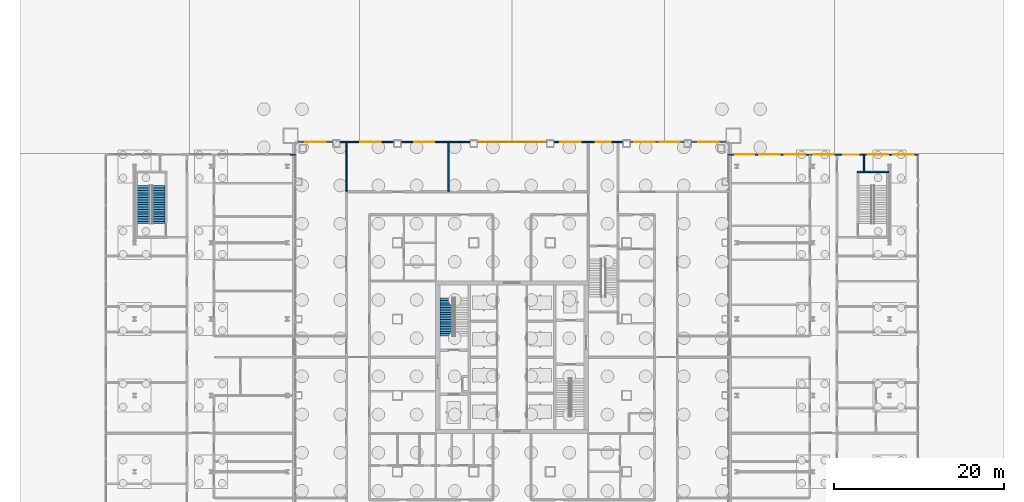
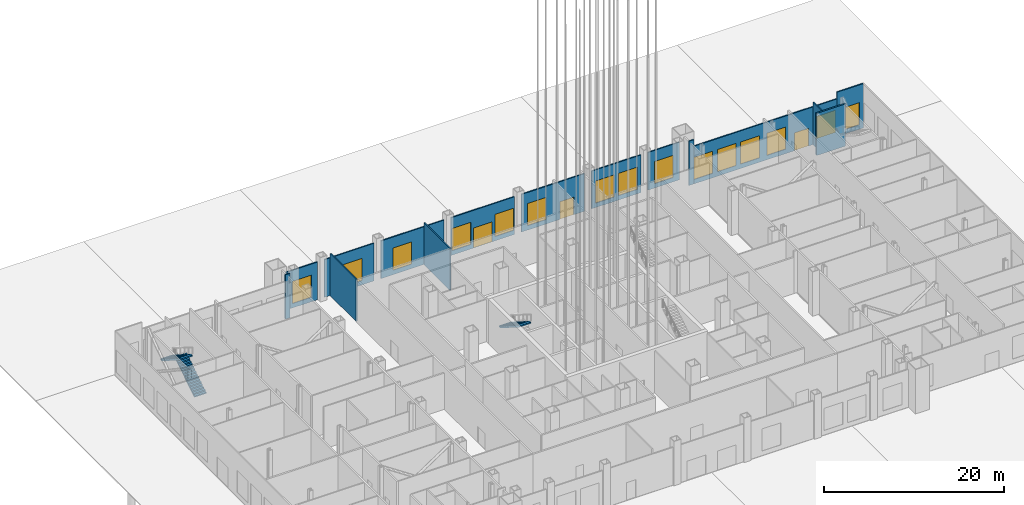
# One storey, part 13 of 36: 15 walls, 15 windows, 3 doors, 3 stair flights, 18 openings, 2 elements without a shape of their own.
"""IFC4 building model written with IfcOpenShell, lengths in metres."""

from ifc_helpers import new_model, si_unit, direction, frame, frame_2d, origin, place, context, subcontext, project, spatial, polyline, rectangle, outline, extrude, material, layer, layer_set, type_object, element, fill, aggregate, save


model = new_model("IFC4")

# Units and contexts
model_context = context("Model", 3, precision=1e-05, world=origin(), true_north=direction((0.0, 1.0)))
body_context = subcontext(model_context, "Body", "Model", "MODEL_VIEW")
ifc_project = project(units=[si_unit("LENGTHUNIT", "METRE"), si_unit("AREAUNIT", "SQUARE_METRE"), si_unit("VOLUMEUNIT", "CUBIC_METRE"), si_unit("PLANEANGLEUNIT", "RADIAN"), si_unit("MASSUNIT", "GRAM", prefix="KILO")], contexts=[model_context])

# Site, building, storey
site_placement = place(None, origin())
site = spatial("IfcSite", under=ifc_project, at=site_placement, CompositionType="ELEMENT")
building_placement = place(site_placement, origin())
building = spatial("IfcBuilding", under=site, at=building_placement, Name="Malebo Sky Hospital", CompositionType="ELEMENT")
storey_placement = place(building_placement, origin())
storey = spatial("IfcBuildingStorey", under=building, at=storey_placement, Name="L00", CompositionType="ELEMENT", Elevation=0.0)

# Wall
ifc_material_1 = material(Name="Anodised aluminium, natural silver framed screen", Category="aluminium")
ifc_layer_1 = layer(ifc_material_1, 0.14990234375)
ifc_layer_set_1 = layer_set([ifc_layer_1], Name="GLAZED ENTRANCE SCREEN 150")
wall_type_1 = type_object("IfcWallType", Name="GLAZED ENTRANCE SCREEN 150", PredefinedType="STANDARD", material=ifc_layer_set_1)
wall_1_placement = place(storey_placement, frame((34.449951171875, 85.875, 0.0), z_axis=(0.0, 0.0, 1.0), x_axis=(-1.0, 0.0, 0.0)))
element("IfcWall", 1, at=wall_1_placement, inside=storey, type_object=wall_type_1, Name="Glazed entrance screen WN", PredefinedType="STANDARD", context=body_context, shape_type="SweptSolid", body=[
    extrude(rectangle(XDim=0.60888671875, YDim=0.14990234375, at=frame_2d((0.304443359375, 0.0))), origin(), (0.0, 0.0, 1.0), 6.0),
])

# Wall, opening, window
wall_2_placement = place(storey_placement, frame((85.199951171875, 87.375, 0.0), z_axis=(0.0, 0.0, 1.0), x_axis=(-1.0, 0.0, 0.0)))
wall_2 = element("IfcWall", 2, at=wall_2_placement, inside=storey, type_object=wall_type_1, Name="Glazed entrance screen BN", PredefinedType="STANDARD", context=body_context, shape_type="SweptSolid", body=[
    extrude(rectangle(XDim=4.050048828125, YDim=0.14990234375, at=frame_2d((2.02490234375, 0.0))), origin(), (0.0, 0.0, 1.0), 5.10009765625),
])
opening_1_placement = place(wall_2_placement, frame((0.824951171875, 0.0, 0.60009765625)))
opening_1 = element("IfcOpeningElement", 3, at=opening_1_placement, cuts=wall_2, Name="Opening W01", PredefinedType="OPENING", context=body_context, shape_type="SweptSolid", body=[
    extrude(rectangle(XDim=2.39990234375, YDim=3.0, at=frame_2d((1.199951171875, 1.5))), frame((0.0, 0.0849609375, 0.0), z_axis=(0.0, -1.0, 0.0), x_axis=(1.0, 0.0, 0.0)), (0.0, 0.0, 1.0), 0.169921875),
])
ifc_material_2 = material(Name="Clear low-iron double glazing", Category="glass")
window_type = type_object("IfcWindowType", Name="SCREEN GLAZING 2400x3000", PartitioningType="SINGLE_PANEL", PredefinedType="WINDOW", material=ifc_material_2)
window_1_placement = place(opening_1_placement, origin())
window_1 = element("IfcWindow", 4, at=window_1_placement, inside=storey, type_object=window_type, Name="Screen glazing 1", OverallHeight=3.0, OverallWidth=2.39990234375, PartitioningType="SINGLE_PANEL", PredefinedType="WINDOW", context=body_context, shape_type="SweptSolid", body=[
    extrude(rectangle(XDim=2.39990234375, YDim=3.0, at=frame_2d((1.199951171875, 1.5))), frame((0.0, 0.030029296875, 0.0), z_axis=(0.0, -1.0, 0.0), x_axis=(1.0, 0.0, 0.0)), (0.0, 0.0, 1.0), 0.06005859375),
])
fill(opening_1, window_1)

# Wall, openings, windows
wall_3_placement = place(storey_placement, frame((80.25, 87.375, 0.0), z_axis=(0.0, 0.0, 1.0), x_axis=(-1.0, 0.0, 0.0)))
wall_3 = element("IfcWall", 5, at=wall_3_placement, inside=storey, type_object=wall_type_1, Name="Glazed entrance screen BN", PredefinedType="STANDARD", context=body_context, shape_type="SweptSolid", body=[
    extrude(rectangle(XDim=6.300048828125, YDim=0.14990234375, at=frame_2d((3.14990234375, 0.0))), origin(), (0.0, 0.0, 1.0), 5.10009765625),
])
opening_2_placement = place(wall_3_placement, frame((0.449951171875, 0.0, 0.60009765625)))
opening_2 = element("IfcOpeningElement", 6, at=opening_2_placement, cuts=wall_3, Name="Opening W01", PredefinedType="OPENING", context=body_context, shape_type="SweptSolid", body=[
    extrude(rectangle(XDim=2.39990234375, YDim=3.0, at=frame_2d((1.199951171875, 1.5))), frame((0.0, 0.0849609375, 0.0), z_axis=(0.0, -1.0, 0.0), x_axis=(1.0, 0.0, 0.0)), (0.0, 0.0, 1.0), 0.169921875),
])
opening_3_placement = place(wall_3_placement, frame((3.449951171875, 0.0, 0.60009765625)))
opening_3 = element("IfcOpeningElement", 7, at=opening_3_placement, cuts=wall_3, Name="Opening W01", PredefinedType="OPENING", context=body_context, shape_type="SweptSolid", body=[
    extrude(rectangle(XDim=2.39990234375, YDim=3.0, at=frame_2d((1.199951171875, 1.5))), frame((0.0, 0.0849609375, 0.0), z_axis=(0.0, -1.0, 0.0), x_axis=(1.0, 0.0, 0.0)), (0.0, 0.0, 1.0), 0.169921875),
])
window_2_placement = place(opening_2_placement, origin())
window_2 = element("IfcWindow", 8, at=window_2_placement, inside=storey, type_object=window_type, Name="Screen glazing 2", OverallHeight=3.0, OverallWidth=2.39990234375, PartitioningType="SINGLE_PANEL", PredefinedType="WINDOW", context=body_context, shape_type="SweptSolid", body=[
    extrude(rectangle(XDim=2.39990234375, YDim=3.0, at=frame_2d((1.199951171875, 1.5))), frame((0.0, 0.030029296875, 0.0), z_axis=(0.0, -1.0, 0.0), x_axis=(1.0, 0.0, 0.0)), (0.0, 0.0, 1.0), 0.06005859375),
])
fill(opening_2, window_2)
window_3_placement = place(opening_3_placement, origin())
window_3 = element("IfcWindow", 9, at=window_3_placement, inside=storey, type_object=window_type, Name="Screen glazing 3", OverallHeight=3.0, OverallWidth=2.39990234375, PartitioningType="SINGLE_PANEL", PredefinedType="WINDOW", context=body_context, shape_type="SweptSolid", body=[
    extrude(rectangle(XDim=2.39990234375, YDim=3.0, at=frame_2d((1.199951171875, 1.5))), frame((0.0, 0.030029296875, 0.0), z_axis=(0.0, -1.0, 0.0), x_axis=(1.0, 0.0, 0.0)), (0.0, 0.0, 1.0), 0.06005859375),
])
fill(opening_3, window_3)

# Wall, openings, door, window
wall_4_placement = place(storey_placement, frame((73.050048828125, 87.375, 0.0), z_axis=(0.0, 0.0, 1.0), x_axis=(-1.0, 0.0, 0.0)))
wall_4 = element("IfcWall", 10, at=wall_4_placement, inside=storey, type_object=wall_type_1, Name="Glazed entrance screen BN", PredefinedType="STANDARD", context=body_context, shape_type="SweptSolid", body=[
    extrude(rectangle(XDim=8.10009765625, YDim=0.14990234375, at=frame_2d((4.050048828125, 0.0))), origin(), (0.0, 0.0, 1.0), 5.10009765625),
])
opening_4_placement = place(wall_4_placement, frame((1.39990234375, 0.0, 0.0)))
opening_4 = element("IfcOpeningElement", 11, at=opening_4_placement, cuts=wall_4, Name="Opening D12", PredefinedType="OPENING", context=body_context, shape_type="SweptSolid", body=[
    extrude(rectangle(XDim=1.800048828125, YDim=2.39990234375, at=frame_2d((0.89990234375, 1.199951171875))), frame((0.0, 0.0849609375, 0.0), z_axis=(0.0, -1.0, 0.0), x_axis=(1.0, 0.0, 0.0)), (0.0, 0.0, 1.0), 0.169921875),
])
opening_5_placement = place(wall_4_placement, frame((4.949951171875, 0.0, 0.60009765625)))
opening_5 = element("IfcOpeningElement", 12, at=opening_5_placement, cuts=wall_4, Name="Opening W01", PredefinedType="OPENING", context=body_context, shape_type="SweptSolid", body=[
    extrude(rectangle(XDim=2.39990234375, YDim=3.0, at=frame_2d((1.199951171875, 1.5))), frame((0.0, 0.0849609375, 0.0), z_axis=(0.0, -1.0, 0.0), x_axis=(1.0, 0.0, 0.0)), (0.0, 0.0, 1.0), 0.169921875),
])
ifc_material_3 = material(Name="Anodised aluminium, natural silver framed glazed door", Category="aluminium")
door_type_1 = type_object("IfcDoorType", Name="EXIT DOOR PAIR 1800", OperationType="DOUBLE_DOOR_SINGLE_SWING", PredefinedType="DOOR", material=ifc_material_3)
door_1_placement = place(opening_4_placement, frame((1.800048828125, 0.0, 0.0), z_axis=(0.0, 0.0, 1.0), x_axis=(-1.0, 0.0, 0.0)))
door_1 = element("IfcDoor", 13, at=door_1_placement, inside=storey, type_object=door_type_1, Name="Stair S3 exit doors", OperationType="DOUBLE_DOOR_SINGLE_SWING", OverallHeight=2.39990234375, OverallWidth=1.800048828125, PredefinedType="DOOR", context=body_context, shape_type="SweptSolid", body=[
    extrude(rectangle(XDim=1.800048828125, YDim=2.39990234375, at=frame_2d((0.89990234375, 1.199951171875))), frame((0.0, 0.02490234375, 0.0), z_axis=(0.0, -1.0, 0.0), x_axis=(1.0, 0.0, 0.0)), (0.0, 0.0, 1.0), 0.050048828125),
])
fill(opening_4, door_1)
window_4_placement = place(opening_5_placement, origin())
window_4 = element("IfcWindow", 14, at=window_4_placement, inside=storey, type_object=window_type, Name="Screen glazing 4", OverallHeight=3.0, OverallWidth=2.39990234375, PartitioningType="SINGLE_PANEL", PredefinedType="WINDOW", context=body_context, shape_type="SweptSolid", body=[
    extrude(rectangle(XDim=2.39990234375, YDim=3.0, at=frame_2d((1.199951171875, 1.5))), frame((0.0, 0.030029296875, 0.0), z_axis=(0.0, -1.0, 0.0), x_axis=(1.0, 0.0, 0.0)), (0.0, 0.0, 1.0), 0.06005859375),
])
fill(opening_5, window_4)

# Wall, openings, windows, door
wall_5_placement = place(storey_placement, frame((64.050048828125, 87.375, 0.0), z_axis=(0.0, 0.0, 1.0), x_axis=(-1.0, 0.0, 0.0)))
wall_5 = element("IfcWall", 15, at=wall_5_placement, inside=storey, type_object=wall_type_1, Name="Glazed entrance screen BN", PredefinedType="STANDARD", context=body_context, shape_type="SweptSolid", body=[
    extrude(rectangle(XDim=8.10009765625, YDim=0.14990234375, at=frame_2d((4.050048828125, 0.0))), origin(), (0.0, 0.0, 1.0), 5.10009765625),
])
opening_6_placement = place(wall_5_placement, frame((2.85009765625, 0.0, 0.0)))
opening_6 = element("IfcOpeningElement", 16, at=opening_6_placement, cuts=wall_5, Name="Opening D13", PredefinedType="OPENING", context=body_context, shape_type="SweptSolid", body=[
    extrude(rectangle(XDim=2.39990234375, YDim=2.699951171875, at=frame_2d((1.199951171875, 1.35009765625))), frame((0.0, 0.0849609375, 0.0), z_axis=(0.0, -1.0, 0.0), x_axis=(1.0, 0.0, 0.0)), (0.0, 0.0, 1.0), 0.169921875),
])
opening_7_placement = place(wall_5_placement, frame((0.125, 0.0, 0.60009765625)))
opening_7 = element("IfcOpeningElement", 17, at=opening_7_placement, cuts=wall_5, Name="Opening W01", PredefinedType="OPENING", context=body_context, shape_type="SweptSolid", body=[
    extrude(rectangle(XDim=2.39990234375, YDim=3.0, at=frame_2d((1.199951171875, 1.5))), frame((0.0, 0.0849609375, 0.0), z_axis=(0.0, -1.0, 0.0), x_axis=(1.0, 0.0, 0.0)), (0.0, 0.0, 1.0), 0.169921875),
])
opening_8_placement = place(wall_5_placement, frame((5.574951171875, 0.0, 0.60009765625)))
opening_8 = element("IfcOpeningElement", 18, at=opening_8_placement, cuts=wall_5, Name="Opening W01", PredefinedType="OPENING", context=body_context, shape_type="SweptSolid", body=[
    extrude(rectangle(XDim=2.39990234375, YDim=3.0, at=frame_2d((1.199951171875, 1.5))), frame((0.0, 0.0849609375, 0.0), z_axis=(0.0, -1.0, 0.0), x_axis=(1.0, 0.0, 0.0)), (0.0, 0.0, 1.0), 0.169921875),
])
window_5_placement = place(opening_7_placement, origin())
window_5 = element("IfcWindow", 19, at=window_5_placement, inside=storey, type_object=window_type, Name="Screen glazing 5", OverallHeight=3.0, OverallWidth=2.39990234375, PartitioningType="SINGLE_PANEL", PredefinedType="WINDOW", context=body_context, shape_type="SweptSolid", body=[
    extrude(rectangle(XDim=2.39990234375, YDim=3.0, at=frame_2d((1.199951171875, 1.5))), frame((0.0, 0.030029296875, 0.0), z_axis=(0.0, -1.0, 0.0), x_axis=(1.0, 0.0, 0.0)), (0.0, 0.0, 1.0), 0.06005859375),
])
fill(opening_7, window_5)
window_6_placement = place(opening_8_placement, origin())
window_6 = element("IfcWindow", 20, at=window_6_placement, inside=storey, type_object=window_type, Name="Screen glazing 6", OverallHeight=3.0, OverallWidth=2.39990234375, PartitioningType="SINGLE_PANEL", PredefinedType="WINDOW", context=body_context, shape_type="SweptSolid", body=[
    extrude(rectangle(XDim=2.39990234375, YDim=3.0, at=frame_2d((1.199951171875, 1.5))), frame((0.0, 0.030029296875, 0.0), z_axis=(0.0, -1.0, 0.0), x_axis=(1.0, 0.0, 0.0)), (0.0, 0.0, 1.0), 0.06005859375),
])
fill(opening_8, window_6)
door_type_2 = type_object("IfcDoorType", Name="SERVICE DOOR PAIR 2400", OperationType="DOUBLE_DOOR_SINGLE_SWING", PredefinedType="DOOR", material=ifc_material_3)
door_2_placement = place(opening_6_placement, origin())
door_2 = element("IfcDoor", 21, at=door_2_placement, inside=storey, type_object=door_type_2, Name="Goods and service entrance", OperationType="DOUBLE_DOOR_SINGLE_SWING", OverallHeight=2.699951171875, OverallWidth=2.39990234375, PredefinedType="DOOR", context=body_context, shape_type="SweptSolid", body=[
    extrude(rectangle(XDim=2.39990234375, YDim=2.699951171875, at=frame_2d((1.199951171875, 1.35009765625))), frame((0.0, 0.02490234375, 0.0), z_axis=(0.0, -1.0, 0.0), x_axis=(1.0, 0.0, 0.0)), (0.0, 0.0, 1.0), 0.050048828125),
])
fill(opening_6, door_2)

# Wall, opening, window
wall_6_placement = place(storey_placement, frame((55.050048828125, 87.375, 0.0), z_axis=(0.0, 0.0, 1.0), x_axis=(-1.0, 0.0, 0.0)))
wall_6 = element("IfcWall", 22, at=wall_6_placement, inside=storey, type_object=wall_type_1, Name="Glazed entrance screen BN", PredefinedType="STANDARD", context=body_context, shape_type="SweptSolid", body=[
    extrude(rectangle(XDim=8.10009765625, YDim=0.14990234375, at=frame_2d((4.050048828125, 0.0))), origin(), (0.0, 0.0, 1.0), 5.10009765625),
])
opening_9_placement = place(wall_6_placement, frame((4.1875, 0.0, 0.60009765625)))
opening_9 = element("IfcOpeningElement", 23, at=opening_9_placement, cuts=wall_6, Name="Opening W01", PredefinedType="OPENING", context=body_context, shape_type="SweptSolid", body=[
    extrude(rectangle(XDim=2.39990234375, YDim=3.0, at=frame_2d((1.199951171875, 1.5))), frame((0.0, 0.0849609375, 0.0), z_axis=(0.0, -1.0, 0.0), x_axis=(1.0, 0.0, 0.0)), (0.0, 0.0, 1.0), 0.169921875),
])
window_7_placement = place(opening_9_placement, origin())
window_7 = element("IfcWindow", 24, at=window_7_placement, inside=storey, type_object=window_type, Name="Screen glazing 7", OverallHeight=3.0, OverallWidth=2.39990234375, PartitioningType="SINGLE_PANEL", PredefinedType="WINDOW", context=body_context, shape_type="SweptSolid", body=[
    extrude(rectangle(XDim=2.39990234375, YDim=3.0, at=frame_2d((1.199951171875, 1.5))), frame((0.0, 0.030029296875, 0.0), z_axis=(0.0, -1.0, 0.0), x_axis=(1.0, 0.0, 0.0)), (0.0, 0.0, 1.0), 0.06005859375),
])
fill(opening_9, window_7)

wall_7_placement = place(storey_placement, frame((46.050048828125, 87.375, 0.0), z_axis=(0.0, 0.0, 1.0), x_axis=(-1.0, 0.0, 0.0)))
wall_7 = element("IfcWall", 25, at=wall_7_placement, inside=storey, type_object=wall_type_1, Name="Glazed entrance screen BN", PredefinedType="STANDARD", context=body_context, shape_type="SweptSolid", body=[
    extrude(rectangle(XDim=6.300048828125, YDim=0.14990234375, at=frame_2d((3.14990234375, 0.0))), origin(), (0.0, 0.0, 1.0), 5.10009765625),
])
opening_10_placement = place(wall_7_placement, frame((1.512451171875, 0.0, 0.60009765625)))
opening_10 = element("IfcOpeningElement", 26, at=opening_10_placement, cuts=wall_7, Name="Opening W01", PredefinedType="OPENING", context=body_context, shape_type="SweptSolid", body=[
    extrude(rectangle(XDim=2.39990234375, YDim=3.0, at=frame_2d((1.199951171875, 1.5))), frame((0.0, 0.0849609375, 0.0), z_axis=(0.0, -1.0, 0.0), x_axis=(1.0, 0.0, 0.0)), (0.0, 0.0, 1.0), 0.169921875),
])
window_8_placement = place(opening_10_placement, origin())
window_8 = element("IfcWindow", 27, at=window_8_placement, inside=storey, type_object=window_type, Name="Screen glazing 8", OverallHeight=3.0, OverallWidth=2.39990234375, PartitioningType="SINGLE_PANEL", PredefinedType="WINDOW", context=body_context, shape_type="SweptSolid", body=[
    extrude(rectangle(XDim=2.39990234375, YDim=3.0, at=frame_2d((1.199951171875, 1.5))), frame((0.0, 0.030029296875, 0.0), z_axis=(0.0, -1.0, 0.0), x_axis=(1.0, 0.0, 0.0)), (0.0, 0.0, 1.0), 0.06005859375),
])
fill(opening_10, window_8)

wall_8_placement = place(storey_placement, frame((38.85009765625, 87.375, 0.0), z_axis=(0.0, 0.0, 1.0), x_axis=(-1.0, 0.0, 0.0)))
wall_8 = element("IfcWall", 28, at=wall_8_placement, inside=storey, type_object=wall_type_1, Name="Glazed entrance screen BN", PredefinedType="STANDARD", context=body_context, shape_type="SweptSolid", body=[
    extrude(rectangle(XDim=4.050048828125, YDim=0.14990234375, at=frame_2d((2.02490234375, 0.0))), origin(), (0.0, 0.0, 1.0), 5.10009765625),
])
opening_11_placement = place(wall_8_placement, frame((0.824951171875, 0.0, 0.60009765625)))
opening_11 = element("IfcOpeningElement", 29, at=opening_11_placement, cuts=wall_8, Name="Opening W01", PredefinedType="OPENING", context=body_context, shape_type="SweptSolid", body=[
    extrude(rectangle(XDim=2.39990234375, YDim=3.0, at=frame_2d((1.199951171875, 1.5))), frame((0.0, 0.0849609375, 0.0), z_axis=(0.0, -1.0, 0.0), x_axis=(1.0, 0.0, 0.0)), (0.0, 0.0, 1.0), 0.169921875),
])
window_9_placement = place(opening_11_placement, origin())
window_9 = element("IfcWindow", 30, at=window_9_placement, inside=storey, type_object=window_type, Name="Screen glazing 9", OverallHeight=3.0, OverallWidth=2.39990234375, PartitioningType="SINGLE_PANEL", PredefinedType="WINDOW", context=body_context, shape_type="SweptSolid", body=[
    extrude(rectangle(XDim=2.39990234375, YDim=3.0, at=frame_2d((1.199951171875, 1.5))), frame((0.0, 0.030029296875, 0.0), z_axis=(0.0, -1.0, 0.0), x_axis=(1.0, 0.0, 0.0)), (0.0, 0.0, 1.0), 0.06005859375),
])
fill(opening_11, window_9)

wall_9_placement = place(storey_placement, frame((107.875, 85.875, 0.0), z_axis=(0.0, 0.0, 1.0), x_axis=(-1.0, 0.0, 0.0)))
wall_9 = element("IfcWall", 31, at=wall_9_placement, inside=storey, type_object=wall_type_1, Name="Glazed entrance screen EN", PredefinedType="STANDARD", context=body_context, shape_type="SweptSolid", body=[
    extrude(rectangle(XDim=3.375, YDim=0.14990234375, at=frame_2d((1.6875, 0.0))), origin(), (0.0, 0.0, 1.0), 6.0),
])
opening_12_placement = place(wall_9_placement, frame((0.527099609375, 0.0, 0.60009765625)))
opening_12 = element("IfcOpeningElement", 32, at=opening_12_placement, cuts=wall_9, Name="Opening W01", PredefinedType="OPENING", context=body_context, shape_type="SweptSolid", body=[
    extrude(rectangle(XDim=2.39990234375, YDim=3.0, at=frame_2d((1.199951171875, 1.5))), frame((0.0, 0.0849609375, 0.0), z_axis=(0.0, -1.0, 0.0), x_axis=(1.0, 0.0, 0.0)), (0.0, 0.0, 1.0), 0.169921875),
])
window_10_placement = place(opening_12_placement, origin())
window_10 = element("IfcWindow", 33, at=window_10_placement, inside=storey, type_object=window_type, Name="Screen glazing 1", OverallHeight=3.0, OverallWidth=2.39990234375, PartitioningType="SINGLE_PANEL", PredefinedType="WINDOW", context=body_context, shape_type="SweptSolid", body=[
    extrude(rectangle(XDim=2.39990234375, YDim=3.0, at=frame_2d((1.199951171875, 1.5))), frame((0.0, 0.030029296875, 0.0), z_axis=(0.0, -1.0, 0.0), x_axis=(1.0, 0.0, 0.0)), (0.0, 0.0, 1.0), 0.06005859375),
])
fill(opening_12, window_10)

# Wall, openings, door, windows
wall_10_placement = place(storey_placement, frame((104.5, 85.875, 0.0), z_axis=(0.0, 0.0, 1.0), x_axis=(-1.0, 0.0, 0.0)))
wall_10 = element("IfcWall", 34, at=wall_10_placement, inside=storey, type_object=wall_type_1, Name="Glazed entrance screen EN", PredefinedType="STANDARD", context=body_context, shape_type="SweptSolid", body=[
    extrude(rectangle(XDim=18.341064453125, YDim=0.14990234375, at=frame_2d((9.17041015625, 0.0))), origin(), (0.0, 0.0, 1.0), 5.10009765625),
])
opening_13_placement = place(wall_10_placement, frame((3.64501953125, 0.0, 0.0)))
opening_13 = element("IfcOpeningElement", 35, at=opening_13_placement, cuts=wall_10, Name="Opening D12", PredefinedType="OPENING", context=body_context, shape_type="SweptSolid", body=[
    extrude(rectangle(XDim=1.800048828125, YDim=2.39990234375, at=frame_2d((0.89990234375, 1.199951171875))), frame((0.0, 0.0849609375, 0.0), z_axis=(0.0, -1.0, 0.0), x_axis=(1.0, 0.0, 0.0)), (0.0, 0.0, 1.0), 0.169921875),
])
opening_14_placement = place(wall_10_placement, frame((0.152099609375, 0.0, 0.60009765625)))
opening_14 = element("IfcOpeningElement", 36, at=opening_14_placement, cuts=wall_10, Name="Opening W01", PredefinedType="OPENING", context=body_context, shape_type="SweptSolid", body=[
    extrude(rectangle(XDim=2.39990234375, YDim=3.0, at=frame_2d((1.199951171875, 1.5))), frame((0.0, 0.0849609375, 0.0), z_axis=(0.0, -1.0, 0.0), x_axis=(1.0, 0.0, 0.0)), (0.0, 0.0, 1.0), 0.169921875),
])
opening_15_placement = place(wall_10_placement, frame((6.58740234375, 0.0, 0.60009765625)))
opening_15 = element("IfcOpeningElement", 37, at=opening_15_placement, cuts=wall_10, Name="Opening W01", PredefinedType="OPENING", context=body_context, shape_type="SweptSolid", body=[
    extrude(rectangle(XDim=2.39990234375, YDim=3.0, at=frame_2d((1.199951171875, 1.5))), frame((0.0, 0.0849609375, 0.0), z_axis=(0.0, -1.0, 0.0), x_axis=(1.0, 0.0, 0.0)), (0.0, 0.0, 1.0), 0.169921875),
])
opening_16_placement = place(wall_10_placement, frame((9.94091796875, 0.0, 0.60009765625)))
opening_16 = element("IfcOpeningElement", 38, at=opening_16_placement, cuts=wall_10, Name="Opening W01", PredefinedType="OPENING", context=body_context, shape_type="SweptSolid", body=[
    extrude(rectangle(XDim=2.39990234375, YDim=3.0, at=frame_2d((1.199951171875, 1.5))), frame((0.0, 0.0849609375, 0.0), z_axis=(0.0, -1.0, 0.0), x_axis=(1.0, 0.0, 0.0)), (0.0, 0.0, 1.0), 0.169921875),
])
opening_17_placement = place(wall_10_placement, frame((12.94091796875, 0.0, 0.60009765625)))
opening_17 = element("IfcOpeningElement", 39, at=opening_17_placement, cuts=wall_10, Name="Opening W01", PredefinedType="OPENING", context=body_context, shape_type="SweptSolid", body=[
    extrude(rectangle(XDim=2.39990234375, YDim=3.0, at=frame_2d((1.199951171875, 1.5))), frame((0.0, 0.0849609375, 0.0), z_axis=(0.0, -1.0, 0.0), x_axis=(1.0, 0.0, 0.0)), (0.0, 0.0, 1.0), 0.169921875),
])
opening_18_placement = place(wall_10_placement, frame((15.94091796875, 0.0, 0.60009765625)))
opening_18 = element("IfcOpeningElement", 40, at=opening_18_placement, cuts=wall_10, Name="Opening W01", PredefinedType="OPENING", context=body_context, shape_type="SweptSolid", body=[
    extrude(rectangle(XDim=2.39990234375, YDim=3.0, at=frame_2d((1.199951171875, 1.5))), frame((0.0, 0.0849609375, 0.0), z_axis=(0.0, -1.0, 0.0), x_axis=(1.0, 0.0, 0.0)), (0.0, 0.0, 1.0), 0.169921875),
])
door_3_placement = place(opening_13_placement, frame((1.800048828125, 0.0, 0.0), z_axis=(0.0, 0.0, 1.0), x_axis=(-1.0, 0.0, 0.0)))
door_3 = element("IfcDoor", 41, at=door_3_placement, inside=storey, type_object=door_type_1, Name="East stair exit doors", OperationType="DOUBLE_DOOR_SINGLE_SWING", OverallHeight=2.39990234375, OverallWidth=1.800048828125, PredefinedType="DOOR", context=body_context, shape_type="SweptSolid", body=[
    extrude(rectangle(XDim=1.800048828125, YDim=2.39990234375, at=frame_2d((0.89990234375, 1.199951171875))), frame((0.0, 0.02490234375, 0.0), z_axis=(0.0, -1.0, 0.0), x_axis=(1.0, 0.0, 0.0)), (0.0, 0.0, 1.0), 0.050048828125),
])
fill(opening_13, door_3)
window_11_placement = place(opening_14_placement, origin())
window_11 = element("IfcWindow", 42, at=window_11_placement, inside=storey, type_object=window_type, Name="Screen glazing 2", OverallHeight=3.0, OverallWidth=2.39990234375, PartitioningType="SINGLE_PANEL", PredefinedType="WINDOW", context=body_context, shape_type="SweptSolid", body=[
    extrude(rectangle(XDim=2.39990234375, YDim=3.0, at=frame_2d((1.199951171875, 1.5))), frame((0.0, 0.030029296875, 0.0), z_axis=(0.0, -1.0, 0.0), x_axis=(1.0, 0.0, 0.0)), (0.0, 0.0, 1.0), 0.06005859375),
])
fill(opening_14, window_11)
window_12_placement = place(opening_15_placement, origin())
window_12 = element("IfcWindow", 43, at=window_12_placement, inside=storey, type_object=window_type, Name="Screen glazing 3", OverallHeight=3.0, OverallWidth=2.39990234375, PartitioningType="SINGLE_PANEL", PredefinedType="WINDOW", context=body_context, shape_type="SweptSolid", body=[
    extrude(rectangle(XDim=2.39990234375, YDim=3.0, at=frame_2d((1.199951171875, 1.5))), frame((0.0, 0.030029296875, 0.0), z_axis=(0.0, -1.0, 0.0), x_axis=(1.0, 0.0, 0.0)), (0.0, 0.0, 1.0), 0.06005859375),
])
fill(opening_15, window_12)
window_13_placement = place(opening_16_placement, origin())
window_13 = element("IfcWindow", 44, at=window_13_placement, inside=storey, type_object=window_type, Name="Screen glazing 4", OverallHeight=3.0, OverallWidth=2.39990234375, PartitioningType="SINGLE_PANEL", PredefinedType="WINDOW", context=body_context, shape_type="SweptSolid", body=[
    extrude(rectangle(XDim=2.39990234375, YDim=3.0, at=frame_2d((1.199951171875, 1.5))), frame((0.0, 0.030029296875, 0.0), z_axis=(0.0, -1.0, 0.0), x_axis=(1.0, 0.0, 0.0)), (0.0, 0.0, 1.0), 0.06005859375),
])
fill(opening_16, window_13)
window_14_placement = place(opening_17_placement, origin())
window_14 = element("IfcWindow", 45, at=window_14_placement, inside=storey, type_object=window_type, Name="Screen glazing 5", OverallHeight=3.0, OverallWidth=2.39990234375, PartitioningType="SINGLE_PANEL", PredefinedType="WINDOW", context=body_context, shape_type="SweptSolid", body=[
    extrude(rectangle(XDim=2.39990234375, YDim=3.0, at=frame_2d((1.199951171875, 1.5))), frame((0.0, 0.030029296875, 0.0), z_axis=(0.0, -1.0, 0.0), x_axis=(1.0, 0.0, 0.0)), (0.0, 0.0, 1.0), 0.06005859375),
])
fill(opening_17, window_14)
window_15_placement = place(opening_18_placement, origin())
window_15 = element("IfcWindow", 46, at=window_15_placement, inside=storey, type_object=window_type, Name="Screen glazing 6", OverallHeight=3.0, OverallWidth=2.39990234375, PartitioningType="SINGLE_PANEL", PredefinedType="WINDOW", context=body_context, shape_type="SweptSolid", body=[
    extrude(rectangle(XDim=2.39990234375, YDim=3.0, at=frame_2d((1.199951171875, 1.5))), frame((0.0, 0.030029296875, 0.0), z_axis=(0.0, -1.0, 0.0), x_axis=(1.0, 0.0, 0.0)), (0.0, 0.0, 1.0), 0.06005859375),
])
fill(opening_18, window_15)

# Walls
wall_11_placement = place(storey_placement, frame((86.158935546875, 85.875, 0.0), z_axis=(0.0, 0.0, 1.0), x_axis=(-1.0, 0.0, 0.0)))
element("IfcWall", 47, at=wall_11_placement, inside=storey, type_object=wall_type_1, Name="Glazed entrance screen EN", PredefinedType="STANDARD", context=body_context, shape_type="SweptSolid", body=[
    extrude(rectangle(XDim=0.60888671875, YDim=0.14990234375, at=frame_2d((0.304443359375, 0.0))), origin(), (0.0, 0.0, 1.0), 6.0),
])
ifc_material_4 = material(Name="Gypsum board on steel studs", Category="steel")
ifc_layer_2 = layer(ifc_material_4, 0.14990234375)
ifc_layer_set_2 = layer_set([ifc_layer_2], Name="PARTITION 150")
wall_type_2 = type_object("IfcWallType", Name="PARTITION 150", PredefinedType="PARTITIONING", material=ifc_layer_set_2)
for number, where, z_axis, x_axis, name in (
    (48, (40.5, 81.5, 0.0), (0.0, 0.0, 1.0), (0.0, 1.0, 0.0), "Partition 150 NP-19.5"),
    (49, (52.5, 81.5, 0.0), (0.0, 0.0, 1.0), (0.0, 1.0, 0.0), "Partition 150 NP-7.5"),
):
    element("IfcWall", number, at=place(storey_placement, frame(where, z_axis=z_axis, x_axis=x_axis)), inside=storey, type_object=wall_type_2, Name=name, PredefinedType="PARTITIONING", context=body_context, shape_type="SweptSolid", body=[
        extrude(rectangle(XDim=5.75, YDim=0.14990234375, at=frame_2d((2.875, 0.0))), origin(), (0.0, 0.0, 1.0), 5.699951171875),
    ])
wall_12_placement = place(storey_placement, frame((101.49609375, 83.949951171875, 0.0), z_axis=(0.0, 0.0, 1.0), x_axis=(0.0, 1.0, 0.0)))
element("IfcWall", 50, at=wall_12_placement, inside=storey, type_object=wall_type_2, Name="Partition 150 ELW", PredefinedType="PARTITIONING", context=body_context, shape_type="SweptSolid", body=[
    extrude(rectangle(XDim=1.900146484375, YDim=0.14990234375, at=frame_2d((0.9501953125, 0.0))), origin(), (0.0, 0.0, 1.0), 5.699951171875),
])
ifc_material_5 = material(Name="Concrete C40/50", Category="concrete")
ifc_layer_3 = layer(ifc_material_5, 0.199951171875)
ifc_layer_set_3 = layer_set([ifc_layer_3], Name="STAIR ENCLOSURE WALL 200")
wall_type_3 = type_object("IfcWallType", Name="STAIR ENCLOSURE WALL 200", PredefinedType="SOLIDWALL", material=ifc_layer_set_3)
wall_13_placement = place(storey_placement, frame((100.699951171875, 83.85009765625, 0.0), z_axis=(0.0, 0.0, 1.0), x_axis=(1.0, 0.0, 0.0)))
element("IfcWall", 51, at=wall_13_placement, inside=storey, type_object=wall_type_3, Name="Stair Enclosure Wall 200 ESN", PredefinedType="SOLIDWALL", context=body_context, shape_type="SweptSolid", body=[
    extrude(rectangle(XDim=3.699951171875, YDim=0.199951171875, at=frame_2d((1.85009765625, 0.0))), origin(), (0.0, 0.0, 1.0), 5.699951171875),
])

# Stair, stair flight
stair_type = type_object("IfcStairType", Name="HALF-TURN STAIR 1500 R176", PredefinedType="HALF_TURN_STAIR", material=ifc_material_5)
stair_1_placement = place(storey_placement, origin())
stair_1 = element("IfcStair", 52, at=stair_1_placement, inside=storey, type_object=stair_type, Name="Stair S1 L00 type ST4", PredefinedType="HALF_TURN_STAIR")
stair_flight_type = type_object("IfcStairFlightType", Name="STAIR FLIGHT 1500 R176", PredefinedType="STRAIGHT", material=ifc_material_5)
stair_flight_1_placement = place(storey_placement, frame((52.25, 68.97998046875, 3.0), z_axis=(0.0, 0.0, 1.0), x_axis=(0.0, -1.0, 0.0)))
stair_flight_1 = element("IfcStairFlight", 53, at=stair_flight_1_placement, type_object=stair_flight_type, Name="S1 flight 2 type SF4", NumberOfRisers=17, NumberOfTreads=16, PredefinedType="STRAIGHT", RiserHeight=0.176470588, TreadLength=0.28, context=body_context, shape_type="SweptSolid", body=[
    extrude(outline(polyline([(0.0, 0.0), (0.0, 0.176513671875), (0.280029296875, 0.176513671875), (0.280029296875, 0.35302734375), (0.56005859375, 0.35302734375), (0.56005859375, 0.529296875), (0.840087890625, 0.529296875), (0.840087890625, 0.705810546875), (1.1201171875, 0.705810546875), (1.1201171875, 0.88232421875), (1.39990234375, 0.88232421875), (1.39990234375, 1.058837890625), (1.679931640625, 1.058837890625), (1.679931640625, 1.2353515625), (1.9599609375, 1.2353515625), (1.9599609375, 1.411865234375), (2.239990234375, 1.411865234375), (2.239990234375, 1.588134765625), (2.52001953125, 1.588134765625), (2.52001953125, 1.7646484375), (2.800048828125, 1.7646484375), (2.800048828125, 1.941162109375), (3.080078125, 1.941162109375), (3.080078125, 2.11767578125), (3.360107421875, 2.11767578125), (3.360107421875, 2.294189453125), (3.639892578125, 2.294189453125), (3.639892578125, 2.470703125), (3.919921875, 2.470703125), (3.919921875, 2.64697265625), (4.199951171875, 2.64697265625), (4.199951171875, 2.823486328125), (4.47998046875, 2.823486328125), (4.47998046875, 3.0), (4.47998046875, 2.646240234375), (0.28125, 0.0), (0.0, 0.0)])), frame((0.0, 0.75, 0.0), z_axis=(0.0, -1.0, 0.0), x_axis=(1.0, 0.0, 0.0)), (0.0, 0.0, 1.0), 1.5),
])
aggregate(stair_1, [stair_flight_1])

# Stair, stair flights
stair_2_placement = place(storey_placement, origin())
stair_2 = element("IfcStair", 54, at=stair_2_placement, inside=storey, type_object=stair_type, Name="Stair WS L00 type ST4", PredefinedType="HALF_TURN_STAIR")
stair_flight_2_placement = place(storey_placement, frame((18.35009765625, 77.75, 0.0), z_axis=(0.0, 0.0, 1.0), x_axis=(0.0, 1.0, 0.0)))
stair_flight_2 = element("IfcStairFlight", 55, at=stair_flight_2_placement, type_object=stair_flight_type, Name="WS flight 1 type SF4", NumberOfRisers=17, NumberOfTreads=16, PredefinedType="STRAIGHT", RiserHeight=0.176470588, TreadLength=0.28, context=body_context, shape_type="SweptSolid", body=[
    extrude(outline(polyline([(0.0, 0.0), (0.0, 0.176513671875), (0.280029296875, 0.176513671875), (0.280029296875, 0.35302734375), (0.56005859375, 0.35302734375), (0.56005859375, 0.529296875), (0.840087890625, 0.529296875), (0.840087890625, 0.705810546875), (1.1201171875, 0.705810546875), (1.1201171875, 0.88232421875), (1.39990234375, 0.88232421875), (1.39990234375, 1.058837890625), (1.679931640625, 1.058837890625), (1.679931640625, 1.2353515625), (1.9599609375, 1.2353515625), (1.9599609375, 1.411865234375), (2.239990234375, 1.411865234375), (2.239990234375, 1.588134765625), (2.52001953125, 1.588134765625), (2.52001953125, 1.7646484375), (2.800048828125, 1.7646484375), (2.800048828125, 1.941162109375), (3.080078125, 1.941162109375), (3.080078125, 2.11767578125), (3.360107421875, 2.11767578125), (3.360107421875, 2.294189453125), (3.639892578125, 2.294189453125), (3.639892578125, 2.470703125), (3.919921875, 2.470703125), (3.919921875, 2.64697265625), (4.199951171875, 2.64697265625), (4.199951171875, 2.823486328125), (4.47998046875, 2.823486328125), (4.47998046875, 3.0), (4.47998046875, 2.646240234375), (0.28125, 0.0), (0.0, 0.0)])), frame((0.0, 0.75, 0.0), z_axis=(0.0, -1.0, 0.0), x_axis=(1.0, 0.0, 0.0)), (0.0, 0.0, 1.0), 1.5),
])
stair_flight_3_placement = place(storey_placement, frame((16.550048828125, 82.22998046875, 3.0), z_axis=(0.0, 0.0, 1.0), x_axis=(0.0, -1.0, 0.0)))
stair_flight_3 = element("IfcStairFlight", 56, at=stair_flight_3_placement, type_object=stair_flight_type, Name="WS flight 2 type SF4", NumberOfRisers=17, NumberOfTreads=16, PredefinedType="STRAIGHT", RiserHeight=0.176470588, TreadLength=0.28, context=body_context, shape_type="SweptSolid", body=[
    extrude(outline(polyline([(0.0, 0.0), (0.0, 0.176513671875), (0.280029296875, 0.176513671875), (0.280029296875, 0.35302734375), (0.56005859375, 0.35302734375), (0.56005859375, 0.529296875), (0.840087890625, 0.529296875), (0.840087890625, 0.705810546875), (1.1201171875, 0.705810546875), (1.1201171875, 0.88232421875), (1.39990234375, 0.88232421875), (1.39990234375, 1.058837890625), (1.679931640625, 1.058837890625), (1.679931640625, 1.2353515625), (1.9599609375, 1.2353515625), (1.9599609375, 1.411865234375), (2.239990234375, 1.411865234375), (2.239990234375, 1.588134765625), (2.52001953125, 1.588134765625), (2.52001953125, 1.7646484375), (2.800048828125, 1.7646484375), (2.800048828125, 1.941162109375), (3.080078125, 1.941162109375), (3.080078125, 2.11767578125), (3.360107421875, 2.11767578125), (3.360107421875, 2.294189453125), (3.639892578125, 2.294189453125), (3.639892578125, 2.470703125), (3.919921875, 2.470703125), (3.919921875, 2.64697265625), (4.199951171875, 2.64697265625), (4.199951171875, 2.823486328125), (4.47998046875, 2.823486328125), (4.47998046875, 3.0), (4.47998046875, 2.646240234375), (0.28125, 0.0), (0.0, 0.0)])), frame((0.0, 0.75, 0.0), z_axis=(0.0, -1.0, 0.0), x_axis=(1.0, 0.0, 0.0)), (0.0, 0.0, 1.0), 1.5),
])
aggregate(stair_2, [stair_flight_2, stair_flight_3])

save(model, "model.ifc")
